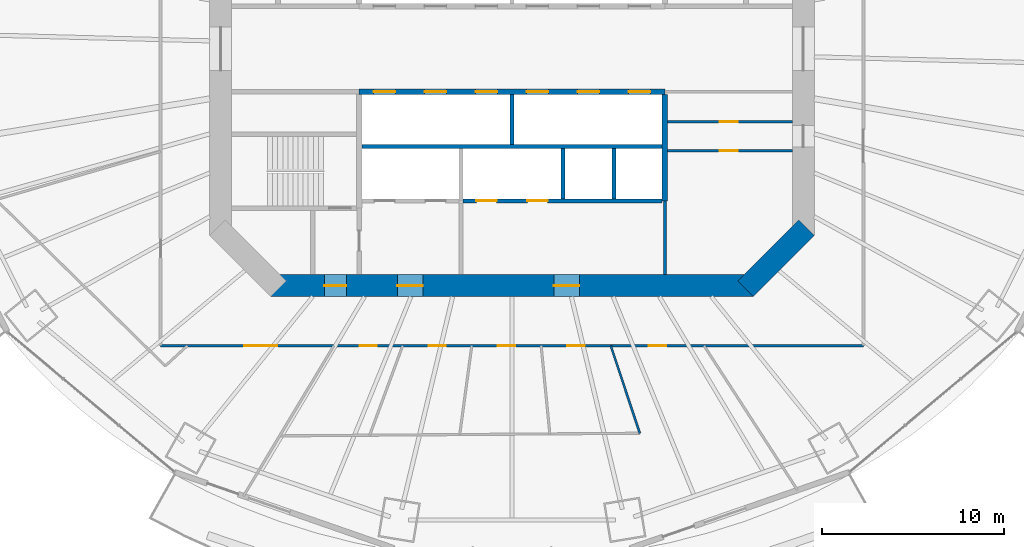
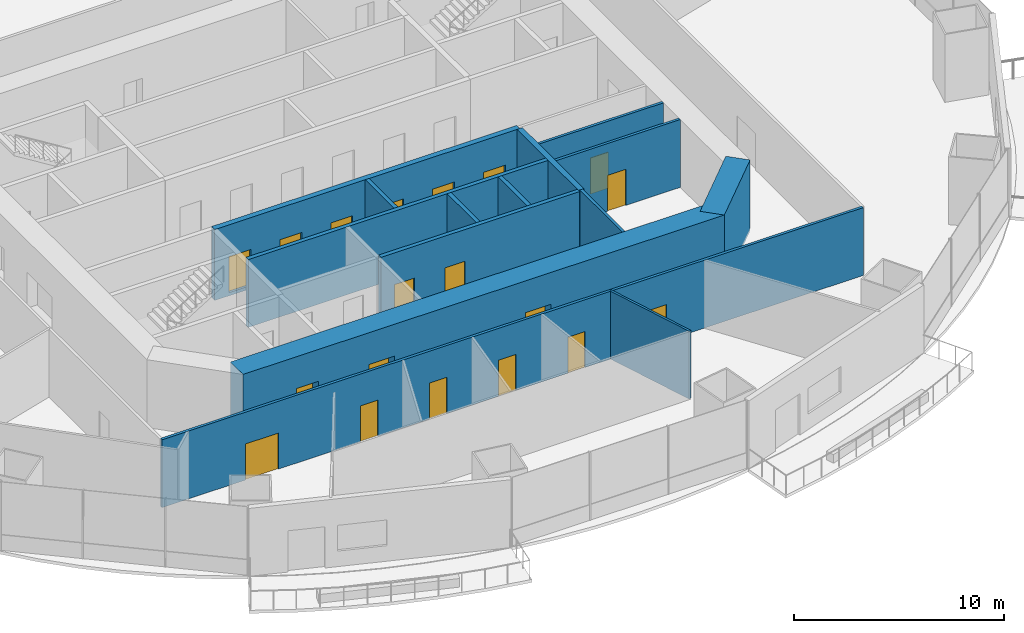
# One storey, part 13 of 18: 19 doors, 14 walls, 19 openings.
"""IFC4 building model written with IfcOpenShell, lengths in metres."""

from ifc_helpers import new_model, si_unit, direction, frame, frame_2d, origin, place, context, subcontext, project, spatial, rectangle, extrude, material, layer, layer_set, type_object, element, fill, save


model = new_model("IFC4")

# Units and contexts
model_context = context("Model", 3, precision=1e-05, world=origin(), true_north=direction((0.0, 1.0)))
body_context = subcontext(model_context, "Body", "Model", "MODEL_VIEW")
ifc_project = project(units=[si_unit("LENGTHUNIT", "METRE"), si_unit("AREAUNIT", "SQUARE_METRE"), si_unit("VOLUMEUNIT", "CUBIC_METRE"), si_unit("PLANEANGLEUNIT", "RADIAN"), si_unit("MASSUNIT", "GRAM", prefix="KILO")], contexts=[model_context])

# Site, building, storey
site_placement = place(None, origin())
site = spatial("IfcSite", under=ifc_project, at=site_placement, CompositionType="ELEMENT")
building_placement = place(site_placement, origin())
building = spatial("IfcBuilding", under=site, at=building_placement, Name="Marenthal Gate Tower", CompositionType="ELEMENT")
storey_placement = place(building_placement, frame((0.0, 0.0, 140.89990234375)))
storey = spatial("IfcBuildingStorey", under=building, at=storey_placement, Name="L30", CompositionType="ELEMENT", Elevation=140.89990234375)

# Wall
ifc_material_1 = material(Name="Concrete 60 MPa", Category="concrete")
ifc_layer_1 = layer(ifc_material_1, 1.199951171875)
ifc_layer_set_1 = layer_set([ifc_layer_1], Name="Core shear wall 1200")
wall_type_1 = type_object("IfcWallType", Name="Core shear wall 1200", PredefinedType="SHEAR", material=ifc_layer_set_1)
wall_1_placement = place(storey_placement, frame((12.82421875, -13.17578125, -0.179931640625), z_axis=(0.0, 0.0, 1.0), x_axis=(0.707106781187, 0.707106781187, 0.0)))
element("IfcWall", 1, at=wall_1_placement, inside=storey, type_object=wall_type_1, Name="Core wall 01", PredefinedType="SHEAR", context=body_context, shape_type="SweptSolid", body=[
    extrude(rectangle(XDim=4.73974609375, YDim=1.199951171875, at=frame_2d((2.369873046875, 0.0))), origin(), (0.0, 0.0, 1.0), 4.130126953125),
])

# Wall, openings, doors
wall_2_placement = place(storey_placement, frame((-13.24853515625, -13.0, -0.179931640625), z_axis=(0.0, 0.0, 1.0), x_axis=(1.0, 0.0, 0.0)))
wall_2 = element("IfcWall", 2, at=wall_2_placement, inside=storey, type_object=wall_type_1, Name="Core wall 08", PredefinedType="SHEAR", context=body_context, shape_type="SweptSolid", body=[
    extrude(rectangle(XDim=26.4970703125, YDim=1.199951171875, at=frame_2d((13.24853515625, 0.0))), origin(), (0.0, 0.0, 1.0), 4.130126953125),
])
opening_1_placement = place(wall_2_placement, frame((2.948486328125, 0.0, 0.179931640625)))
opening_1 = element("IfcOpeningElement", 3, at=opening_1_placement, cuts=wall_2, Name="Opening D001.06", PredefinedType="OPENING", context=body_context, shape_type="SweptSolid", body=[
    extrude(rectangle(XDim=1.199951171875, YDim=2.10009765625, at=frame_2d((0.60009765625, 1.050048828125))), frame((0.0, 0.60986328125, 0.0), z_axis=(0.0, -1.0, 0.0), x_axis=(1.0, 0.0, 0.0)), (0.0, 0.0, 1.0), 1.219970703125),
])
opening_2_placement = place(wall_2_placement, frame((6.948486328125, 0.0, 0.179931640625)))
opening_2 = element("IfcOpeningElement", 4, at=opening_2_placement, cuts=wall_2, Name="Opening D004.01", PredefinedType="OPENING", context=body_context, shape_type="SweptSolid", body=[
    extrude(rectangle(XDim=1.39990234375, YDim=2.10009765625, at=frame_2d((0.699951171875, 1.050048828125))), frame((0.0, 0.60986328125, 0.0), z_axis=(0.0, -1.0, 0.0), x_axis=(1.0, 0.0, 0.0)), (0.0, 0.0, 1.0), 1.219970703125),
])
opening_3_placement = place(wall_2_placement, frame((15.548583984375, 0.0, 0.179931640625)))
opening_3 = element("IfcOpeningElement", 5, at=opening_3_placement, cuts=wall_2, Name="Opening D004.02", PredefinedType="OPENING", context=body_context, shape_type="SweptSolid", body=[
    extrude(rectangle(XDim=1.39990234375, YDim=2.10009765625, at=frame_2d((0.699951171875, 1.050048828125))), frame((0.0, 0.60986328125, 0.0), z_axis=(0.0, -1.0, 0.0), x_axis=(1.0, 0.0, 0.0)), (0.0, 0.0, 1.0), 1.219970703125),
])
ifc_material_2 = material(Name="Steel fire door", Category="steel")
door_type_1 = type_object("IfcDoorType", Name="Fire door FD 45 1400 x 2100", OperationType="NOTDEFINED", PredefinedType="DOOR", material=ifc_material_2)
door_1_placement = place(opening_2_placement, origin())
door_1 = element("IfcDoor", 6, at=door_1_placement, inside=storey, type_object=door_type_1, Name="Door D004.01", OperationType="SINGLE_SWING_RIGHT", OverallHeight=2.10009765625, OverallWidth=1.39990234375, PredefinedType="DOOR", context=body_context, shape_type="SweptSolid", body=[
    extrude(rectangle(XDim=1.39990234375, YDim=2.10009765625, at=frame_2d((0.699951171875, 1.050048828125))), frame((0.0, 0.02490234375, 0.0), z_axis=(0.0, -1.0, 0.0), x_axis=(1.0, 0.0, 0.0)), (0.0, 0.0, 1.0), 0.050048828125),
])
fill(opening_2, door_1)
door_2_placement = place(opening_3_placement, origin())
door_2 = element("IfcDoor", 7, at=door_2_placement, inside=storey, type_object=door_type_1, Name="Door D004.02", OperationType="SINGLE_SWING_RIGHT", OverallHeight=2.10009765625, OverallWidth=1.39990234375, PredefinedType="DOOR", context=body_context, shape_type="SweptSolid", body=[
    extrude(rectangle(XDim=1.39990234375, YDim=2.10009765625, at=frame_2d((0.699951171875, 1.050048828125))), frame((0.0, 0.02490234375, 0.0), z_axis=(0.0, -1.0, 0.0), x_axis=(1.0, 0.0, 0.0)), (0.0, 0.0, 1.0), 0.050048828125),
])
fill(opening_3, door_2)
ifc_material_3 = material(Name="Steel fire door", Category="steel")
door_type_2 = type_object("IfcDoorType", Name="Fire door FD 90 1200 x 2100", OperationType="NOTDEFINED", PredefinedType="DOOR", material=ifc_material_3)
door_3_placement = place(opening_1_placement, origin())
door_3 = element("IfcDoor", 8, at=door_3_placement, inside=storey, type_object=door_type_2, Name="Door D001.06", OperationType="SINGLE_SWING_RIGHT", OverallHeight=2.10009765625, OverallWidth=1.199951171875, PredefinedType="DOOR", context=body_context, shape_type="SweptSolid", body=[
    extrude(rectangle(XDim=1.199951171875, YDim=2.10009765625, at=frame_2d((0.60009765625, 1.050048828125))), frame((0.0, 0.02490234375, 0.0), z_axis=(0.0, -1.0, 0.0), x_axis=(1.0, 0.0, 0.0)), (0.0, 0.0, 1.0), 0.050048828125),
])
fill(opening_1, door_3)

ifc_material_4 = material(Name="Concrete 50 MPa", Category="concrete")
ifc_layer_2 = layer(ifc_material_4, 0.300048828125)
ifc_layer_set_2 = layer_set([ifc_layer_2], Name="Hoistway shear wall 300")
wall_type_2 = type_object("IfcWallType", Name="Hoistway shear wall 300", PredefinedType="SHEAR", material=ifc_layer_set_2)
wall_3_placement = place(storey_placement, frame((-8.39990234375, -2.35009765625, -0.179931640625), z_axis=(0.0, 0.0, 1.0), x_axis=(1.0, 0.0, 0.0)))
wall_3 = element("IfcWall", 9, at=wall_3_placement, inside=storey, type_object=wall_type_2, Name="Hoistway wall 17", PredefinedType="SHEAR", context=body_context, shape_type="SweptSolid", body=[
    extrude(rectangle(XDim=16.7998046875, YDim=0.300048828125, at=frame_2d((8.39990234375, 0.0))), origin(), (0.0, 0.0, 1.0), 4.130126953125),
])
opening_4_placement = place(wall_3_placement, frame((0.800048828125, 0.0, 0.179931640625)))
opening_4 = element("IfcOpeningElement", 10, at=opening_4_placement, cuts=wall_3, Name="Opening LD-LP7", PredefinedType="OPENING", context=body_context, shape_type="SweptSolid", body=[
    extrude(rectangle(XDim=1.199951171875, YDim=2.10009765625, at=frame_2d((0.60009765625, 1.050048828125))), frame((0.0, 0.16015625, 0.0), z_axis=(0.0, -1.0, 0.0), x_axis=(1.0, 0.0, 0.0)), (0.0, 0.0, 1.0), 0.320068359375),
])
opening_5_placement = place(wall_3_placement, frame((3.60009765625, 0.0, 0.179931640625)))
opening_5 = element("IfcOpeningElement", 11, at=opening_5_placement, cuts=wall_3, Name="Opening LD-LP8", PredefinedType="OPENING", context=body_context, shape_type="SweptSolid", body=[
    extrude(rectangle(XDim=1.199951171875, YDim=2.10009765625, at=frame_2d((0.60009765625, 1.050048828125))), frame((0.0, 0.16015625, 0.0), z_axis=(0.0, -1.0, 0.0), x_axis=(1.0, 0.0, 0.0)), (0.0, 0.0, 1.0), 0.320068359375),
])
opening_6_placement = place(wall_3_placement, frame((6.39990234375, 0.0, 0.179931640625)))
opening_6 = element("IfcOpeningElement", 12, at=opening_6_placement, cuts=wall_3, Name="Opening LD-LP9", PredefinedType="OPENING", context=body_context, shape_type="SweptSolid", body=[
    extrude(rectangle(XDim=1.199951171875, YDim=2.10009765625, at=frame_2d((0.60009765625, 1.050048828125))), frame((0.0, 0.16015625, 0.0), z_axis=(0.0, -1.0, 0.0), x_axis=(1.0, 0.0, 0.0)), (0.0, 0.0, 1.0), 0.320068359375),
])
opening_7_placement = place(wall_3_placement, frame((9.199951171875, 0.0, 0.179931640625)))
opening_7 = element("IfcOpeningElement", 13, at=opening_7_placement, cuts=wall_3, Name="Opening LD-LP10", PredefinedType="OPENING", context=body_context, shape_type="SweptSolid", body=[
    extrude(rectangle(XDim=1.199951171875, YDim=2.10009765625, at=frame_2d((0.60009765625, 1.050048828125))), frame((0.0, 0.16015625, 0.0), z_axis=(0.0, -1.0, 0.0), x_axis=(1.0, 0.0, 0.0)), (0.0, 0.0, 1.0), 0.320068359375),
])
opening_8_placement = place(wall_3_placement, frame((12.0, 0.0, 0.179931640625)))
opening_8 = element("IfcOpeningElement", 14, at=opening_8_placement, cuts=wall_3, Name="Opening LD-LP11", PredefinedType="OPENING", context=body_context, shape_type="SweptSolid", body=[
    extrude(rectangle(XDim=1.199951171875, YDim=2.10009765625, at=frame_2d((0.60009765625, 1.050048828125))), frame((0.0, 0.16015625, 0.0), z_axis=(0.0, -1.0, 0.0), x_axis=(1.0, 0.0, 0.0)), (0.0, 0.0, 1.0), 0.320068359375),
])
opening_9_placement = place(wall_3_placement, frame((14.800048828125, 0.0, 0.179931640625)))
opening_9 = element("IfcOpeningElement", 15, at=opening_9_placement, cuts=wall_3, Name="Opening LD-LP12", PredefinedType="OPENING", context=body_context, shape_type="SweptSolid", body=[
    extrude(rectangle(XDim=1.199951171875, YDim=2.10009765625, at=frame_2d((0.60009765625, 1.050048828125))), frame((0.0, 0.16015625, 0.0), z_axis=(0.0, -1.0, 0.0), x_axis=(1.0, 0.0, 0.0)), (0.0, 0.0, 1.0), 0.320068359375),
])
ifc_material_5 = material(Name="Stainless steel sliding door", Category="steel")
door_type_3 = type_object("IfcDoorType", Name="Lift landing door FD 90 1200 x 2100", OperationType="DOUBLE_DOOR_SLIDING", PredefinedType="DOOR", material=ifc_material_5)
door_4_placement = place(opening_4_placement, origin())
door_4 = element("IfcDoor", 16, at=door_4_placement, inside=storey, type_object=door_type_3, Name="Lift landing door LP7", OperationType="DOUBLE_DOOR_SLIDING", OverallHeight=2.10009765625, OverallWidth=1.199951171875, PredefinedType="DOOR", context=body_context, shape_type="SweptSolid", body=[
    extrude(rectangle(XDim=1.199951171875, YDim=2.10009765625, at=frame_2d((0.60009765625, 1.050048828125))), frame((0.0, 0.02490234375, 0.0), z_axis=(0.0, -1.0, 0.0), x_axis=(1.0, 0.0, 0.0)), (0.0, 0.0, 1.0), 0.050048828125),
])
fill(opening_4, door_4)
door_5_placement = place(opening_5_placement, origin())
door_5 = element("IfcDoor", 17, at=door_5_placement, inside=storey, type_object=door_type_3, Name="Lift landing door LP8", OperationType="DOUBLE_DOOR_SLIDING", OverallHeight=2.10009765625, OverallWidth=1.199951171875, PredefinedType="DOOR", context=body_context, shape_type="SweptSolid", body=[
    extrude(rectangle(XDim=1.199951171875, YDim=2.10009765625, at=frame_2d((0.60009765625, 1.050048828125))), frame((0.0, 0.02490234375, 0.0), z_axis=(0.0, -1.0, 0.0), x_axis=(1.0, 0.0, 0.0)), (0.0, 0.0, 1.0), 0.050048828125),
])
fill(opening_5, door_5)
door_6_placement = place(opening_6_placement, origin())
door_6 = element("IfcDoor", 18, at=door_6_placement, inside=storey, type_object=door_type_3, Name="Lift landing door LP9", OperationType="DOUBLE_DOOR_SLIDING", OverallHeight=2.10009765625, OverallWidth=1.199951171875, PredefinedType="DOOR", context=body_context, shape_type="SweptSolid", body=[
    extrude(rectangle(XDim=1.199951171875, YDim=2.10009765625, at=frame_2d((0.60009765625, 1.050048828125))), frame((0.0, 0.02490234375, 0.0), z_axis=(0.0, -1.0, 0.0), x_axis=(1.0, 0.0, 0.0)), (0.0, 0.0, 1.0), 0.050048828125),
])
fill(opening_6, door_6)
door_7_placement = place(opening_7_placement, origin())
door_7 = element("IfcDoor", 19, at=door_7_placement, inside=storey, type_object=door_type_3, Name="Lift landing door LP10", OperationType="DOUBLE_DOOR_SLIDING", OverallHeight=2.10009765625, OverallWidth=1.199951171875, PredefinedType="DOOR", context=body_context, shape_type="SweptSolid", body=[
    extrude(rectangle(XDim=1.199951171875, YDim=2.10009765625, at=frame_2d((0.60009765625, 1.050048828125))), frame((0.0, 0.02490234375, 0.0), z_axis=(0.0, -1.0, 0.0), x_axis=(1.0, 0.0, 0.0)), (0.0, 0.0, 1.0), 0.050048828125),
])
fill(opening_7, door_7)
door_8_placement = place(opening_8_placement, origin())
door_8 = element("IfcDoor", 20, at=door_8_placement, inside=storey, type_object=door_type_3, Name="Lift landing door LP11", OperationType="DOUBLE_DOOR_SLIDING", OverallHeight=2.10009765625, OverallWidth=1.199951171875, PredefinedType="DOOR", context=body_context, shape_type="SweptSolid", body=[
    extrude(rectangle(XDim=1.199951171875, YDim=2.10009765625, at=frame_2d((0.60009765625, 1.050048828125))), frame((0.0, 0.02490234375, 0.0), z_axis=(0.0, -1.0, 0.0), x_axis=(1.0, 0.0, 0.0)), (0.0, 0.0, 1.0), 0.050048828125),
])
fill(opening_8, door_8)
door_9_placement = place(opening_9_placement, origin())
door_9 = element("IfcDoor", 21, at=door_9_placement, inside=storey, type_object=door_type_3, Name="Lift landing door LP12", OperationType="DOUBLE_DOOR_SLIDING", OverallHeight=2.10009765625, OverallWidth=1.199951171875, PredefinedType="DOOR", context=body_context, shape_type="SweptSolid", body=[
    extrude(rectangle(XDim=1.199951171875, YDim=2.10009765625, at=frame_2d((0.60009765625, 1.050048828125))), frame((0.0, 0.02490234375, 0.0), z_axis=(0.0, -1.0, 0.0), x_axis=(1.0, 0.0, 0.0)), (0.0, 0.0, 1.0), 0.050048828125),
])
fill(opening_9, door_9)

# Wall
wall_4_placement = place(storey_placement, frame((8.39990234375, -8.35009765625, -0.179931640625), z_axis=(0.0, 0.0, 1.0), x_axis=(0.0, 1.0, 0.0)))
element("IfcWall", 22, at=wall_4_placement, inside=storey, type_object=wall_type_2, Name="Hoistway wall 43", PredefinedType="SHEAR", context=body_context, shape_type="SweptSolid", body=[
    extrude(rectangle(XDim=5.85009765625, YDim=0.300048828125, at=frame_2d((2.925048828125, 0.0))), origin(), (0.0, 0.0, 1.0), 4.130126953125),
])

# Wall, openings, doors
ifc_material_6 = material(Name="Concrete 40 MPa", Category="concrete")
ifc_layer_3 = layer(ifc_material_6, 0.219970703125)
ifc_layer_set_3 = layer_set([ifc_layer_3], Name="Hoistway wall 220")
wall_type_3 = type_object("IfcWallType", Name="Hoistway wall 220", PredefinedType="STANDARD", material=ifc_layer_set_3)
wall_5_placement = place(storey_placement, frame((-2.68994140625, -8.35009765625, 0.0), z_axis=(0.0, 0.0, 1.0), x_axis=(1.0, 0.0, 0.0)))
wall_5 = element("IfcWall", 23, at=wall_5_placement, inside=storey, type_object=wall_type_3, Name="Hoistway wall 11", PredefinedType="STANDARD", context=body_context, shape_type="SweptSolid", body=[
    extrude(rectangle(XDim=10.93994140625, YDim=0.219970703125, at=frame_2d((5.469970703125, 0.0))), origin(), (0.0, 0.0, 1.0), 3.9501953125),
])
opening_10_placement = place(wall_5_placement, frame((0.739990234375, 0.0, 0.0)))
opening_10 = element("IfcOpeningElement", 24, at=opening_10_placement, cuts=wall_5, Name="Opening LD-SV1", PredefinedType="OPENING", context=body_context, shape_type="SweptSolid", body=[
    extrude(rectangle(XDim=1.10009765625, YDim=2.10009765625, at=frame_2d((0.550048828125, 1.050048828125))), frame((0.0, 0.1201171875, 0.0), z_axis=(0.0, -1.0, 0.0), x_axis=(1.0, 0.0, 0.0)), (0.0, 0.0, 1.0), 0.239990234375),
])
opening_11_placement = place(wall_5_placement, frame((3.5400390625, 0.0, 0.0)))
opening_11 = element("IfcOpeningElement", 25, at=opening_11_placement, cuts=wall_5, Name="Opening LD-SV2", PredefinedType="OPENING", context=body_context, shape_type="SweptSolid", body=[
    extrude(rectangle(XDim=1.10009765625, YDim=2.10009765625, at=frame_2d((0.550048828125, 1.050048828125))), frame((0.0, 0.1201171875, 0.0), z_axis=(0.0, -1.0, 0.0), x_axis=(1.0, 0.0, 0.0)), (0.0, 0.0, 1.0), 0.239990234375),
])
ifc_material_7 = material(Name="Stainless steel sliding door", Category="steel")
door_type_4 = type_object("IfcDoorType", Name="Lift landing door FD 90 1100 x 2100", OperationType="DOUBLE_DOOR_SLIDING", PredefinedType="DOOR", material=ifc_material_7)
door_10_placement = place(opening_10_placement, origin())
door_10 = element("IfcDoor", 26, at=door_10_placement, inside=storey, type_object=door_type_4, Name="Lift landing door SV1", OperationType="DOUBLE_DOOR_SLIDING", OverallHeight=2.10009765625, OverallWidth=1.10009765625, PredefinedType="DOOR", context=body_context, shape_type="SweptSolid", body=[
    extrude(rectangle(XDim=1.10009765625, YDim=2.10009765625, at=frame_2d((0.550048828125, 1.050048828125))), frame((0.0, 0.02490234375, 0.0), z_axis=(0.0, -1.0, 0.0), x_axis=(1.0, 0.0, 0.0)), (0.0, 0.0, 1.0), 0.050048828125),
])
fill(opening_10, door_10)
door_11_placement = place(opening_11_placement, origin())
door_11 = element("IfcDoor", 27, at=door_11_placement, inside=storey, type_object=door_type_4, Name="Lift landing door SV2", OperationType="DOUBLE_DOOR_SLIDING", OverallHeight=2.10009765625, OverallWidth=1.10009765625, PredefinedType="DOOR", context=body_context, shape_type="SweptSolid", body=[
    extrude(rectangle(XDim=1.10009765625, YDim=2.10009765625, at=frame_2d((0.550048828125, 1.050048828125))), frame((0.0, 0.02490234375, 0.0), z_axis=(0.0, -1.0, 0.0), x_axis=(1.0, 0.0, 0.0)), (0.0, 0.0, 1.0), 0.050048828125),
])
fill(opening_11, door_11)

# Walls
wall_6_placement = place(storey_placement, frame((-8.25, -5.35009765625, 0.0), z_axis=(0.0, 0.0, 1.0), x_axis=(1.0, 0.0, 0.0)))
element("IfcWall", 28, at=wall_6_placement, inside=storey, type_object=wall_type_3, Name="Hoistway wall 13", PredefinedType="STANDARD", context=body_context, shape_type="SweptSolid", body=[
    extrude(rectangle(XDim=16.5, YDim=0.219970703125, at=frame_2d((8.25, 0.0))), origin(), (0.0, 0.0, 1.0), 3.9501953125),
])
wall_7_placement = place(storey_placement, frame((0.0, -5.239990234375, 0.0), z_axis=(0.0, 0.0, 1.0), x_axis=(0.0, 1.0, 0.0)))
element("IfcWall", 29, at=wall_7_placement, inside=storey, type_object=wall_type_3, Name="Hoistway wall 36", PredefinedType="STANDARD", context=body_context, shape_type="SweptSolid", body=[
    extrude(rectangle(XDim=2.739990234375, YDim=0.219970703125, at=frame_2d((1.3701171875, 0.0))), origin(), (0.0, 0.0, 1.0), 3.9501953125),
])
for number, where, z_axis, x_axis, name in (
    (30, (2.800048828125, -8.239990234375, 0.0), (0.0, 0.0, 1.0), (0.0, 1.0, 0.0), "Hoistway wall 38"),
    (31, (5.60009765625, -8.239990234375, 0.0), (0.0, 0.0, 1.0), (0.0, 1.0, 0.0), "Hoistway wall 41"),
):
    element("IfcWall", number, at=place(storey_placement, frame(where, z_axis=z_axis, x_axis=x_axis)), inside=storey, type_object=wall_type_3, Name=name, PredefinedType="STANDARD", context=body_context, shape_type="SweptSolid", body=[
        extrude(rectangle(XDim=2.780029296875, YDim=0.219970703125, at=frame_2d((1.39013671875, 0.0))), origin(), (0.0, 0.0, 1.0), 3.9501953125),
    ])
ifc_material_8 = material(Name="Gypsum board on steel studs", Category="steel")
ifc_layer_4 = layer(ifc_material_8, 0.1201171875)
ifc_layer_set_4 = layer_set([ifc_layer_4], Name="Partition 120")
wall_type_4 = type_object("IfcWallType", Name="Partition 120", PredefinedType="PARTITIONING", material=ifc_layer_set_4)
wall_8_placement = place(storey_placement, frame((7.0224609375, -21.10888671875, 0.0), z_axis=(0.0, 0.0, 1.0), x_axis=(-0.315678539319, 0.948866197002, 0.0)))
element("IfcWall", 32, at=wall_8_placement, inside=storey, type_object=wall_type_4, Name="Partition wall 57", PredefinedType="PARTITIONING", context=body_context, shape_type="SweptSolid", body=[
    extrude(rectangle(XDim=5.06787109375, YDim=0.1201171875, at=frame_2d((2.533935546875, 0.0))), origin(), (0.0, 0.0, 1.0), 3.9501953125),
])

# Wall, opening, door
ifc_material_9 = material(Name="Gypsum board on steel studs", Category="steel")
ifc_layer_5 = layer(ifc_material_9, 0.14990234375)
ifc_layer_set_5 = layer_set([ifc_layer_5], Name="Partition 150")
wall_type_5 = type_object("IfcWallType", Name="Partition 150", PredefinedType="PARTITIONING", material=ifc_layer_set_5)
wall_9_placement = place(storey_placement, frame((8.550048828125, -5.60009765625, 0.0), z_axis=(0.0, 0.0, 1.0), x_axis=(1.0, 0.0, 0.0)))
wall_9 = element("IfcWall", 33, at=wall_9_placement, inside=storey, type_object=wall_type_5, Name="Partition wall 12", PredefinedType="PARTITIONING", context=body_context, shape_type="SweptSolid", body=[
    extrude(rectangle(XDim=6.849853515625, YDim=0.14990234375, at=frame_2d((3.4248046875, 0.0))), origin(), (0.0, 0.0, 1.0), 3.9501953125),
])
opening_12_placement = place(wall_9_placement, frame((2.85009765625, 0.0, 0.0)))
opening_12 = element("IfcOpeningElement", 34, at=opening_12_placement, cuts=wall_9, Name="Opening D005.04", PredefinedType="OPENING", context=body_context, shape_type="SweptSolid", body=[
    extrude(rectangle(XDim=1.0, YDim=2.10009765625, at=frame_2d((0.5, 1.050048828125))), frame((0.0, 0.0849609375, 0.0), z_axis=(0.0, -1.0, 0.0), x_axis=(1.0, 0.0, 0.0)), (0.0, 0.0, 1.0), 0.169921875),
])
ifc_material_10 = material(Name="Steel fire door", Category="steel")
door_type_5 = type_object("IfcDoorType", Name="Fire door FD 45 1000 x 2100", OperationType="NOTDEFINED", PredefinedType="DOOR", material=ifc_material_10)
door_12_placement = place(opening_12_placement, frame((1.0, 0.0, 0.0), z_axis=(0.0, 0.0, 1.0), x_axis=(-1.0, 0.0, 0.0)))
door_12 = element("IfcDoor", 35, at=door_12_placement, inside=storey, type_object=door_type_5, Name="Door D005.04", OperationType="SINGLE_SWING_LEFT", OverallHeight=2.10009765625, OverallWidth=1.0, PredefinedType="DOOR", context=body_context, shape_type="SweptSolid", body=[
    extrude(rectangle(XDim=1.0, YDim=2.10009765625, at=frame_2d((0.5, 1.050048828125))), frame((0.0, 0.02490234375, 0.0), z_axis=(0.0, -1.0, 0.0), x_axis=(1.0, 0.0, 0.0)), (0.0, 0.0, 1.0), 0.050048828125),
])
fill(opening_12, door_12)

wall_10_placement = place(storey_placement, frame((8.550048828125, -4.0, 0.0), z_axis=(0.0, 0.0, 1.0), x_axis=(1.0, 0.0, 0.0)))
wall_10 = element("IfcWall", 36, at=wall_10_placement, inside=storey, type_object=wall_type_5, Name="Partition wall 15", PredefinedType="PARTITIONING", context=body_context, shape_type="SweptSolid", body=[
    extrude(rectangle(XDim=6.849853515625, YDim=0.14990234375, at=frame_2d((3.4248046875, 0.0))), origin(), (0.0, 0.0, 1.0), 3.9501953125),
])
opening_13_placement = place(wall_10_placement, frame((2.85009765625, 0.0, 0.0)))
opening_13 = element("IfcOpeningElement", 37, at=opening_13_placement, cuts=wall_10, Name="Opening D005.03", PredefinedType="OPENING", context=body_context, shape_type="SweptSolid", body=[
    extrude(rectangle(XDim=1.0, YDim=2.10009765625, at=frame_2d((0.5, 1.050048828125))), frame((0.0, 0.0849609375, 0.0), z_axis=(0.0, -1.0, 0.0), x_axis=(1.0, 0.0, 0.0)), (0.0, 0.0, 1.0), 0.169921875),
])
door_13_placement = place(opening_13_placement, origin())
door_13 = element("IfcDoor", 38, at=door_13_placement, inside=storey, type_object=door_type_5, Name="Door D005.03", OperationType="SINGLE_SWING_RIGHT", OverallHeight=2.10009765625, OverallWidth=1.0, PredefinedType="DOOR", context=body_context, shape_type="SweptSolid", body=[
    extrude(rectangle(XDim=1.0, YDim=2.10009765625, at=frame_2d((0.5, 1.050048828125))), frame((0.0, 0.02490234375, 0.0), z_axis=(0.0, -1.0, 0.0), x_axis=(1.0, 0.0, 0.0)), (0.0, 0.0, 1.0), 0.050048828125),
])
fill(opening_13, door_13)

# Wall
wall_11_placement = place(storey_placement, frame((8.39990234375, -12.39990234375, 0.0), z_axis=(0.0, 0.0, 1.0), x_axis=(0.0, 1.0, 0.0)))
element("IfcWall", 39, at=wall_11_placement, inside=storey, type_object=wall_type_5, Name="Partition wall 42", PredefinedType="PARTITIONING", context=body_context, shape_type="SweptSolid", body=[
    extrude(rectangle(XDim=4.0498046875, YDim=0.14990234375, at=frame_2d((2.02490234375, 0.0))), origin(), (0.0, 0.0, 1.0), 3.9501953125),
])

# Wall, openings, doors
wall_12_placement = place(storey_placement, frame((19.300048828125, -16.300048828125, 0.0), z_axis=(0.0, 0.0, 1.0), x_axis=(-1.0, 0.0, 0.0)))
wall_12 = element("IfcWall", 40, at=wall_12_placement, inside=storey, type_object=wall_type_5, Name="Partition wall 59", PredefinedType="PARTITIONING", context=body_context, shape_type="SweptSolid", body=[
    extrude(rectangle(XDim=38.60009765625, YDim=0.14990234375, at=frame_2d((19.300048828125, 0.0))), origin(), (0.0, 0.0, 1.0), 3.9501953125),
])
opening_14_placement = place(wall_12_placement, frame((32.2060546875, 0.0, 0.0)))
opening_14 = element("IfcOpeningElement", 41, at=opening_14_placement, cuts=wall_12, Name="Opening D014.02", PredefinedType="OPENING", context=body_context, shape_type="SweptSolid", body=[
    extrude(rectangle(XDim=1.800048828125, YDim=2.10009765625, at=frame_2d((0.89990234375, 1.050048828125))), frame((0.0, 0.0849609375, 0.0), z_axis=(0.0, -1.0, 0.0), x_axis=(1.0, 0.0, 0.0)), (0.0, 0.0, 1.0), 0.169921875),
])
opening_15_placement = place(wall_12_placement, frame((26.720947265625, 0.0, 0.0)))
opening_15 = element("IfcOpeningElement", 42, at=opening_15_placement, cuts=wall_12, Name="Opening D016.02", PredefinedType="OPENING", context=body_context, shape_type="SweptSolid", body=[
    extrude(rectangle(XDim=0.949951171875, YDim=2.10009765625, at=frame_2d((0.47509765625, 1.050048828125))), frame((0.0, 0.0849609375, 0.0), z_axis=(0.0, -1.0, 0.0), x_axis=(1.0, 0.0, 0.0)), (0.0, 0.0, 1.0), 0.169921875),
])
opening_16_placement = place(wall_12_placement, frame((22.930908203125, 0.0, 0.0)))
opening_16 = element("IfcOpeningElement", 43, at=opening_16_placement, cuts=wall_12, Name="Opening D016.03", PredefinedType="OPENING", context=body_context, shape_type="SweptSolid", body=[
    extrude(rectangle(XDim=0.949951171875, YDim=2.10009765625, at=frame_2d((0.47509765625, 1.050048828125))), frame((0.0, 0.0849609375, 0.0), z_axis=(0.0, -1.0, 0.0), x_axis=(1.0, 0.0, 0.0)), (0.0, 0.0, 1.0), 0.169921875),
])
opening_17_placement = place(wall_12_placement, frame((19.12890625, 0.0, 0.0)))
opening_17 = element("IfcOpeningElement", 44, at=opening_17_placement, cuts=wall_12, Name="Opening D016.04", PredefinedType="OPENING", context=body_context, shape_type="SweptSolid", body=[
    extrude(rectangle(XDim=0.949951171875, YDim=2.10009765625, at=frame_2d((0.47509765625, 1.050048828125))), frame((0.0, 0.0849609375, 0.0), z_axis=(0.0, -1.0, 0.0), x_axis=(1.0, 0.0, 0.0)), (0.0, 0.0, 1.0), 0.169921875),
])
opening_18_placement = place(wall_12_placement, frame((15.31298828125, 0.0, 0.0)))
opening_18 = element("IfcOpeningElement", 45, at=opening_18_placement, cuts=wall_12, Name="Opening D016.05", PredefinedType="OPENING", context=body_context, shape_type="SweptSolid", body=[
    extrude(rectangle(XDim=0.949951171875, YDim=2.10009765625, at=frame_2d((0.47509765625, 1.050048828125))), frame((0.0, 0.0849609375, 0.0), z_axis=(0.0, -1.0, 0.0), x_axis=(1.0, 0.0, 0.0)), (0.0, 0.0, 1.0), 0.169921875),
])
opening_19_placement = place(wall_12_placement, frame((10.841064453125, 0.0, 0.0)))
opening_19 = element("IfcOpeningElement", 46, at=opening_19_placement, cuts=wall_12, Name="Opening D016.06", PredefinedType="OPENING", context=body_context, shape_type="SweptSolid", body=[
    extrude(rectangle(XDim=0.949951171875, YDim=2.10009765625, at=frame_2d((0.47509765625, 1.050048828125))), frame((0.0, 0.0849609375, 0.0), z_axis=(0.0, -1.0, 0.0), x_axis=(1.0, 0.0, 0.0)), (0.0, 0.0, 1.0), 0.169921875),
])
ifc_material_11 = material(Name="Timber door", Category="wood")
door_type_6 = type_object("IfcDoorType", Name="Door 950 x 2100", OperationType="NOTDEFINED", PredefinedType="DOOR", material=ifc_material_11)
door_14_placement = place(opening_15_placement, origin())
door_14 = element("IfcDoor", 47, at=door_14_placement, inside=storey, type_object=door_type_6, Name="Door D016.02", OperationType="SINGLE_SWING_RIGHT", OverallHeight=2.10009765625, OverallWidth=0.949951171875, PredefinedType="DOOR", context=body_context, shape_type="SweptSolid", body=[
    extrude(rectangle(XDim=0.949951171875, YDim=2.10009765625, at=frame_2d((0.47509765625, 1.050048828125))), frame((0.0, 0.02490234375, 0.0), z_axis=(0.0, -1.0, 0.0), x_axis=(1.0, 0.0, 0.0)), (0.0, 0.0, 1.0), 0.050048828125),
])
fill(opening_15, door_14)
door_15_placement = place(opening_16_placement, origin())
door_15 = element("IfcDoor", 48, at=door_15_placement, inside=storey, type_object=door_type_6, Name="Door D016.03", OperationType="SINGLE_SWING_RIGHT", OverallHeight=2.10009765625, OverallWidth=0.949951171875, PredefinedType="DOOR", context=body_context, shape_type="SweptSolid", body=[
    extrude(rectangle(XDim=0.949951171875, YDim=2.10009765625, at=frame_2d((0.47509765625, 1.050048828125))), frame((0.0, 0.02490234375, 0.0), z_axis=(0.0, -1.0, 0.0), x_axis=(1.0, 0.0, 0.0)), (0.0, 0.0, 1.0), 0.050048828125),
])
fill(opening_16, door_15)
door_16_placement = place(opening_17_placement, origin())
door_16 = element("IfcDoor", 49, at=door_16_placement, inside=storey, type_object=door_type_6, Name="Door D016.04", OperationType="SINGLE_SWING_RIGHT", OverallHeight=2.10009765625, OverallWidth=0.949951171875, PredefinedType="DOOR", context=body_context, shape_type="SweptSolid", body=[
    extrude(rectangle(XDim=0.949951171875, YDim=2.10009765625, at=frame_2d((0.47509765625, 1.050048828125))), frame((0.0, 0.02490234375, 0.0), z_axis=(0.0, -1.0, 0.0), x_axis=(1.0, 0.0, 0.0)), (0.0, 0.0, 1.0), 0.050048828125),
])
fill(opening_17, door_16)
door_17_placement = place(opening_18_placement, origin())
door_17 = element("IfcDoor", 50, at=door_17_placement, inside=storey, type_object=door_type_6, Name="Door D016.05", OperationType="SINGLE_SWING_RIGHT", OverallHeight=2.10009765625, OverallWidth=0.949951171875, PredefinedType="DOOR", context=body_context, shape_type="SweptSolid", body=[
    extrude(rectangle(XDim=0.949951171875, YDim=2.10009765625, at=frame_2d((0.47509765625, 1.050048828125))), frame((0.0, 0.02490234375, 0.0), z_axis=(0.0, -1.0, 0.0), x_axis=(1.0, 0.0, 0.0)), (0.0, 0.0, 1.0), 0.050048828125),
])
fill(opening_18, door_17)
door_18_placement = place(opening_19_placement, origin())
door_18 = element("IfcDoor", 51, at=door_18_placement, inside=storey, type_object=door_type_6, Name="Door D016.06", OperationType="SINGLE_SWING_RIGHT", OverallHeight=2.10009765625, OverallWidth=0.949951171875, PredefinedType="DOOR", context=body_context, shape_type="SweptSolid", body=[
    extrude(rectangle(XDim=0.949951171875, YDim=2.10009765625, at=frame_2d((0.47509765625, 1.050048828125))), frame((0.0, 0.02490234375, 0.0), z_axis=(0.0, -1.0, 0.0), x_axis=(1.0, 0.0, 0.0)), (0.0, 0.0, 1.0), 0.050048828125),
])
fill(opening_19, door_18)
ifc_material_12 = material(Name="Timber door", Category="wood")
door_type_7 = type_object("IfcDoorType", Name="Double door 1800 x 2100", OperationType="DOUBLE_DOOR_SINGLE_SWING", PredefinedType="DOOR", material=ifc_material_12)
door_19_placement = place(opening_14_placement, origin())
door_19 = element("IfcDoor", 52, at=door_19_placement, inside=storey, type_object=door_type_7, Name="Door D014.02", OperationType="DOUBLE_DOOR_SINGLE_SWING", OverallHeight=2.10009765625, OverallWidth=1.800048828125, PredefinedType="DOOR", context=body_context, shape_type="SweptSolid", body=[
    extrude(rectangle(XDim=1.800048828125, YDim=2.10009765625, at=frame_2d((0.89990234375, 1.050048828125))), frame((0.0, 0.02490234375, 0.0), z_axis=(0.0, -1.0, 0.0), x_axis=(1.0, 0.0, 0.0)), (0.0, 0.0, 1.0), 0.050048828125),
])
fill(opening_14, door_19)

save(model, "model.ifc")
